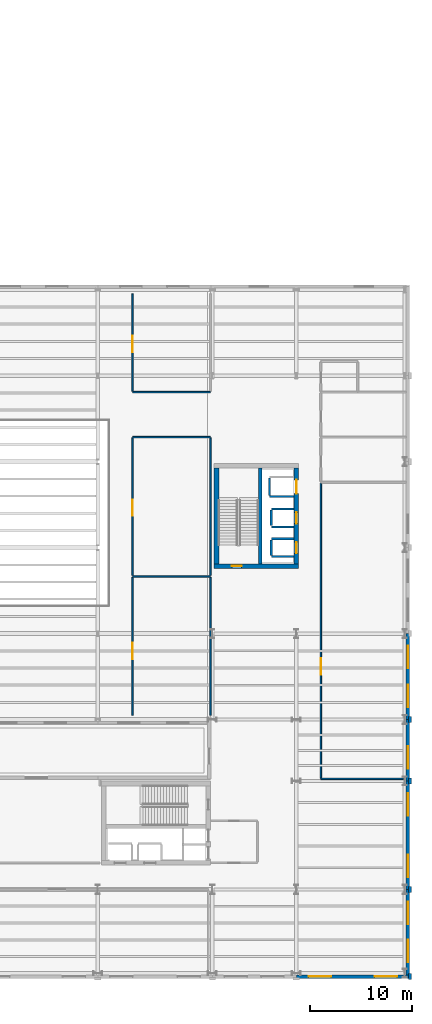
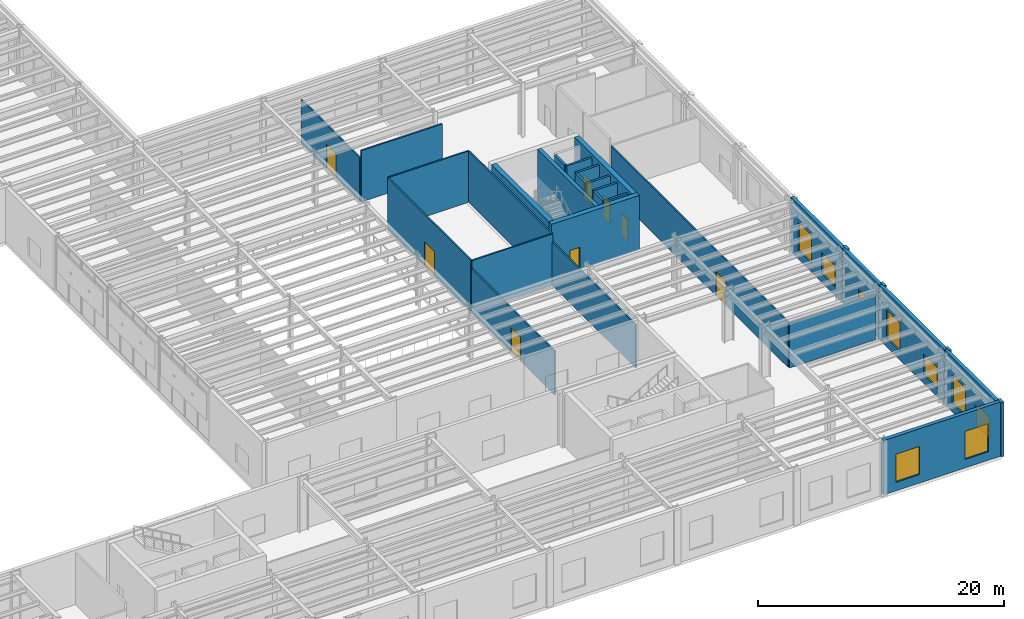
# One storey, part 82 of 98: 31 walls, 9 windows, 8 doors, 17 openings.
"""IFC4 building model written with IfcOpenShell, lengths in metres."""

from ifc_helpers import new_model, si_unit, direction, frame, frame_2d, origin, place, context, subcontext, project, spatial, rectangle, extrude, material, layer, layer_set, type_object, element, fill, save


model = new_model("IFC4")

# Units and contexts
model_context = context("Model", 3, precision=1e-05, world=origin(), true_north=direction((0.0, 1.0)))
body_context = subcontext(model_context, "Body", "Model", "MODEL_VIEW")
ifc_project = project(units=[si_unit("LENGTHUNIT", "METRE"), si_unit("AREAUNIT", "SQUARE_METRE"), si_unit("VOLUMEUNIT", "CUBIC_METRE"), si_unit("PLANEANGLEUNIT", "RADIAN"), si_unit("MASSUNIT", "GRAM", prefix="KILO")], contexts=[model_context])

# Site, building, storey
site_placement = place(None, origin())
site = spatial("IfcSite", under=ifc_project, at=site_placement, CompositionType="ELEMENT")
building_placement = place(site_placement, origin())
building = spatial("IfcBuilding", under=site, at=building_placement, Name="Sollismere Congress Hotel", CompositionType="ELEMENT")
storey_placement = place(building_placement, frame((0.0, 0.0, 5.39990234375)))
storey = spatial("IfcBuildingStorey", under=building, at=storey_placement, Name="L01", CompositionType="ELEMENT", Elevation=5.39990234375)

# Wall, openings, windows
ifc_material_1 = material(Name="Colorado Buff Sandstone and Limestone Backup C40/50", Category="masonry")
ifc_layer_1 = layer(ifc_material_1, 0.340087890625, Name="Colorado Buff Sandstone and Limestone Backup C40/50")
ifc_layer_set_1 = layer_set([ifc_layer_1], Name="Colorado Buff Sandstone and Limestone Backup C40/50")
wall_type_1 = type_object("IfcWallType", Name="WL-EXT340", PredefinedType="STANDARD", material=ifc_layer_set_1)
wall_1_placement = place(storey_placement, frame((155.39990234375, -0.31005859375, 0.0), z_axis=(0.0, 0.0, 1.0), x_axis=(1.0, 0.0, 0.0)))
wall_1 = element("IfcWall", 1, at=wall_1_placement, inside=storey, type_object=wall_type_1, Name="Exterior wall EW-L01-293", PredefinedType="STANDARD", context=body_context, shape_type="SweptSolid", body=[
    extrude(rectangle(XDim=11.050048828125, YDim=0.340087890625, at=frame_2d((5.52490234375, 0.0))), origin(), (0.0, 0.0, 1.0), 5.400146484375),
])
opening_1_placement = place(wall_1_placement, frame((1.199951171875, 0.0, 0.85009765625)))
opening_1 = element("IfcOpeningElement", 2, at=opening_1_placement, cuts=wall_1, Name="Opening W-L01-238", PredefinedType="OPENING", context=body_context, shape_type="SweptSolid", body=[
    extrude(rectangle(XDim=2.199951171875, YDim=2.800048828125, at=frame_2d((1.10009765625, 1.39990234375))), frame((0.0, 0.179931640625, 0.0), z_axis=(0.0, -1.0, 0.0), x_axis=(1.0, 0.0, 0.0)), (0.0, 0.0, 1.0), 0.360107421875),
])
opening_2_placement = place(wall_1_placement, frame((7.64990234375, 0.0, 0.85009765625)))
opening_2 = element("IfcOpeningElement", 3, at=opening_2_placement, cuts=wall_1, Name="Opening W-L01-239", PredefinedType="OPENING", context=body_context, shape_type="SweptSolid", body=[
    extrude(rectangle(XDim=2.199951171875, YDim=2.800048828125, at=frame_2d((1.10009765625, 1.39990234375))), frame((0.0, 0.179931640625, 0.0), z_axis=(0.0, -1.0, 0.0), x_axis=(1.0, 0.0, 0.0)), (0.0, 0.0, 1.0), 0.360107421875),
])
ifc_material_2 = material(Name="Thermally Broken Bronze Aluminum & Low-E Glass", Category="aluminium")
window_type_1 = type_object("IfcWindowType", Name="WN-A220x280", PartitioningType="SINGLE_PANEL", PredefinedType="WINDOW", material=ifc_material_2)
window_1_placement = place(opening_1_placement, origin())
window_1 = element("IfcWindow", 4, at=window_1_placement, inside=storey, type_object=window_type_1, Name="WIN-W-L01-238", OverallHeight=2.800048828125, OverallWidth=2.199951171875, PartitioningType="SINGLE_PANEL", PredefinedType="WINDOW", context=body_context, shape_type="SweptSolid", body=[
    extrude(rectangle(XDim=2.199951171875, YDim=2.800048828125, at=frame_2d((1.10009765625, 1.39990234375))), frame((0.0, 0.030029296875, 0.0), z_axis=(0.0, -1.0, 0.0), x_axis=(1.0, 0.0, 0.0)), (0.0, 0.0, 1.0), 0.06005859375),
])
fill(opening_1, window_1)
window_2_placement = place(opening_2_placement, origin())
window_2 = element("IfcWindow", 5, at=window_2_placement, inside=storey, type_object=window_type_1, Name="WIN-W-L01-239", OverallHeight=2.800048828125, OverallWidth=2.199951171875, PartitioningType="SINGLE_PANEL", PredefinedType="WINDOW", context=body_context, shape_type="SweptSolid", body=[
    extrude(rectangle(XDim=2.199951171875, YDim=2.800048828125, at=frame_2d((1.10009765625, 1.39990234375))), frame((0.0, 0.030029296875, 0.0), z_axis=(0.0, -1.0, 0.0), x_axis=(1.0, 0.0, 0.0)), (0.0, 0.0, 1.0), 0.06005859375),
])
fill(opening_2, window_2)

wall_2_placement = place(storey_placement, frame((166.31005859375, -0.137939453125, 0.0), z_axis=(0.0, 0.0, 1.0), x_axis=(0.0, 1.0, 0.0)))
wall_2 = element("IfcWall", 6, at=wall_2_placement, inside=storey, type_object=wall_type_1, Name="Exterior wall EW-L01-295", PredefinedType="STANDARD", context=body_context, shape_type="SweptSolid", body=[
    extrude(rectangle(XDim=8.337890625, YDim=0.340087890625, at=frame_2d((4.1689453125, 0.0))), origin(), (0.0, 0.0, 1.0), 5.400146484375),
])
opening_3_placement = place(wall_2_placement, frame((1.199951171875, 0.0, 0.85009765625)))
opening_3 = element("IfcOpeningElement", 7, at=opening_3_placement, cuts=wall_2, Name="Opening W-L01-240", PredefinedType="OPENING", context=body_context, shape_type="SweptSolid", body=[
    extrude(rectangle(XDim=2.199951171875, YDim=2.10009765625, at=frame_2d((1.10009765625, 1.050048828125))), frame((0.0, 0.179931640625, 0.0), z_axis=(0.0, -1.0, 0.0), x_axis=(1.0, 0.0, 0.0)), (0.0, 0.0, 1.0), 0.360107421875),
])
opening_4_placement = place(wall_2_placement, frame((4.93798828125, 0.0, 0.85009765625)))
opening_4 = element("IfcOpeningElement", 8, at=opening_4_placement, cuts=wall_2, Name="Opening W-L01-241", PredefinedType="OPENING", context=body_context, shape_type="SweptSolid", body=[
    extrude(rectangle(XDim=2.199951171875, YDim=2.800048828125, at=frame_2d((1.10009765625, 1.39990234375))), frame((0.0, 0.179931640625, 0.0), z_axis=(0.0, -1.0, 0.0), x_axis=(1.0, 0.0, 0.0)), (0.0, 0.0, 1.0), 0.360107421875),
])
window_3_placement = place(opening_4_placement, origin())
window_3 = element("IfcWindow", 9, at=window_3_placement, inside=storey, type_object=window_type_1, Name="WIN-W-L01-241", OverallHeight=2.800048828125, OverallWidth=2.199951171875, PartitioningType="SINGLE_PANEL", PredefinedType="WINDOW", context=body_context, shape_type="SweptSolid", body=[
    extrude(rectangle(XDim=2.199951171875, YDim=2.800048828125, at=frame_2d((1.10009765625, 1.39990234375))), frame((0.0, 0.030029296875, 0.0), z_axis=(0.0, -1.0, 0.0), x_axis=(1.0, 0.0, 0.0)), (0.0, 0.0, 1.0), 0.06005859375),
])
fill(opening_4, window_3)
window_type_2 = type_object("IfcWindowType", Name="WN-CK220", PartitioningType="SINGLE_PANEL", PredefinedType="WINDOW", material=ifc_material_2)
window_4_placement = place(opening_3_placement, origin())
window_4 = element("IfcWindow", 10, at=window_4_placement, inside=storey, type_object=window_type_2, Name="WIN-W-L01-240", OverallHeight=2.10009765625, OverallWidth=2.199951171875, PartitioningType="SINGLE_PANEL", PredefinedType="WINDOW", context=body_context, shape_type="SweptSolid", body=[
    extrude(rectangle(XDim=2.199951171875, YDim=2.10009765625, at=frame_2d((1.10009765625, 1.050048828125))), frame((0.0, 0.030029296875, 0.0), z_axis=(0.0, -1.0, 0.0), x_axis=(1.0, 0.0, 0.0)), (0.0, 0.0, 1.0), 0.06005859375),
])
fill(opening_3, window_4)

wall_3_placement = place(storey_placement, frame((166.31005859375, 8.199951171875, 0.0), z_axis=(0.0, 0.0, 1.0), x_axis=(0.0, 1.0, 0.0)))
wall_3 = element("IfcWall", 11, at=wall_3_placement, inside=storey, type_object=wall_type_1, Name="Exterior wall EW-L01-297", PredefinedType="STANDARD", context=body_context, shape_type="SweptSolid", body=[
    extrude(rectangle(XDim=10.60009765625, YDim=0.340087890625, at=frame_2d((5.300048828125, 0.0))), origin(), (0.0, 0.0, 1.0), 5.400146484375),
])
opening_5_placement = place(wall_3_placement, frame((1.199951171875, 0.0, 0.85009765625)))
opening_5 = element("IfcOpeningElement", 12, at=opening_5_placement, cuts=wall_3, Name="Opening W-L01-242", PredefinedType="OPENING", context=body_context, shape_type="SweptSolid", body=[
    extrude(rectangle(XDim=2.199951171875, YDim=2.10009765625, at=frame_2d((1.10009765625, 1.050048828125))), frame((0.0, 0.179931640625, 0.0), z_axis=(0.0, -1.0, 0.0), x_axis=(1.0, 0.0, 0.0)), (0.0, 0.0, 1.0), 0.360107421875),
])
opening_6_placement = place(wall_3_placement, frame((7.199951171875, 0.0, 0.85009765625)))
opening_6 = element("IfcOpeningElement", 13, at=opening_6_placement, cuts=wall_3, Name="Opening W-L01-243", PredefinedType="OPENING", context=body_context, shape_type="SweptSolid", body=[
    extrude(rectangle(XDim=2.199951171875, YDim=2.800048828125, at=frame_2d((1.10009765625, 1.39990234375))), frame((0.0, 0.179931640625, 0.0), z_axis=(0.0, -1.0, 0.0), x_axis=(1.0, 0.0, 0.0)), (0.0, 0.0, 1.0), 0.360107421875),
])
window_5_placement = place(opening_6_placement, origin())
window_5 = element("IfcWindow", 14, at=window_5_placement, inside=storey, type_object=window_type_1, Name="WIN-W-L01-243", OverallHeight=2.800048828125, OverallWidth=2.199951171875, PartitioningType="SINGLE_PANEL", PredefinedType="WINDOW", context=body_context, shape_type="SweptSolid", body=[
    extrude(rectangle(XDim=2.199951171875, YDim=2.800048828125, at=frame_2d((1.10009765625, 1.39990234375))), frame((0.0, 0.030029296875, 0.0), z_axis=(0.0, -1.0, 0.0), x_axis=(1.0, 0.0, 0.0)), (0.0, 0.0, 1.0), 0.06005859375),
])
fill(opening_6, window_5)
window_6_placement = place(opening_5_placement, origin())
window_6 = element("IfcWindow", 15, at=window_6_placement, inside=storey, type_object=window_type_2, Name="WIN-W-L01-242", OverallHeight=2.10009765625, OverallWidth=2.199951171875, PartitioningType="SINGLE_PANEL", PredefinedType="WINDOW", context=body_context, shape_type="SweptSolid", body=[
    extrude(rectangle(XDim=2.199951171875, YDim=2.10009765625, at=frame_2d((1.10009765625, 1.050048828125))), frame((0.0, 0.030029296875, 0.0), z_axis=(0.0, -1.0, 0.0), x_axis=(1.0, 0.0, 0.0)), (0.0, 0.0, 1.0), 0.06005859375),
])
fill(opening_5, window_6)

# Wall, opening, window
wall_4_placement = place(storey_placement, frame((166.31005859375, 18.800048828125, 0.0), z_axis=(0.0, 0.0, 1.0), x_axis=(0.0, 1.0, 0.0)))
wall_4 = element("IfcWall", 16, at=wall_4_placement, inside=storey, type_object=wall_type_1, Name="Exterior wall EW-L01-299", PredefinedType="STANDARD", context=body_context, shape_type="SweptSolid", body=[
    extrude(rectangle(XDim=6.0, YDim=0.340087890625, at=frame_2d((3.0, 0.0))), origin(), (0.0, 0.0, 1.0), 5.400146484375),
])
opening_7_placement = place(wall_4_placement, frame((1.199951171875, 0.0, 0.85009765625)))
opening_7 = element("IfcOpeningElement", 17, at=opening_7_placement, cuts=wall_4, Name="Opening W-L01-244", PredefinedType="OPENING", context=body_context, shape_type="SweptSolid", body=[
    extrude(rectangle(XDim=2.199951171875, YDim=2.10009765625, at=frame_2d((1.10009765625, 1.050048828125))), frame((0.0, 0.179931640625, 0.0), z_axis=(0.0, -1.0, 0.0), x_axis=(1.0, 0.0, 0.0)), (0.0, 0.0, 1.0), 0.360107421875),
])
window_7_placement = place(opening_7_placement, origin())
window_7 = element("IfcWindow", 18, at=window_7_placement, inside=storey, type_object=window_type_2, Name="WIN-W-L01-244", OverallHeight=2.10009765625, OverallWidth=2.199951171875, PartitioningType="SINGLE_PANEL", PredefinedType="WINDOW", context=body_context, shape_type="SweptSolid", body=[
    extrude(rectangle(XDim=2.199951171875, YDim=2.10009765625, at=frame_2d((1.10009765625, 1.050048828125))), frame((0.0, 0.030029296875, 0.0), z_axis=(0.0, -1.0, 0.0), x_axis=(1.0, 0.0, 0.0)), (0.0, 0.0, 1.0), 0.06005859375),
])
fill(opening_7, window_7)

# Wall, openings, windows
wall_5_placement = place(storey_placement, frame((166.31005859375, 24.800048828125, 0.0), z_axis=(0.0, 0.0, 1.0), x_axis=(0.0, 1.0, 0.0)))
wall_5 = element("IfcWall", 19, at=wall_5_placement, inside=storey, type_object=wall_type_1, Name="Exterior wall EW-L01-301", PredefinedType="STANDARD", context=body_context, shape_type="SweptSolid", body=[
    extrude(rectangle(XDim=8.39990234375, YDim=0.340087890625, at=frame_2d((4.199951171875, 0.0))), origin(), (0.0, 0.0, 1.0), 5.400146484375),
])
opening_8_placement = place(wall_5_placement, frame((1.199951171875, 0.0, 0.85009765625)))
opening_8 = element("IfcOpeningElement", 20, at=opening_8_placement, cuts=wall_5, Name="Opening W-L01-245", PredefinedType="OPENING", context=body_context, shape_type="SweptSolid", body=[
    extrude(rectangle(XDim=2.199951171875, YDim=2.10009765625, at=frame_2d((1.10009765625, 1.050048828125))), frame((0.0, 0.179931640625, 0.0), z_axis=(0.0, -1.0, 0.0), x_axis=(1.0, 0.0, 0.0)), (0.0, 0.0, 1.0), 0.360107421875),
])
opening_9_placement = place(wall_5_placement, frame((5.0, 0.0, 0.85009765625)))
opening_9 = element("IfcOpeningElement", 21, at=opening_9_placement, cuts=wall_5, Name="Opening W-L01-246", PredefinedType="OPENING", context=body_context, shape_type="SweptSolid", body=[
    extrude(rectangle(XDim=2.199951171875, YDim=2.800048828125, at=frame_2d((1.10009765625, 1.39990234375))), frame((0.0, 0.179931640625, 0.0), z_axis=(0.0, -1.0, 0.0), x_axis=(1.0, 0.0, 0.0)), (0.0, 0.0, 1.0), 0.360107421875),
])
window_8_placement = place(opening_9_placement, origin())
window_8 = element("IfcWindow", 22, at=window_8_placement, inside=storey, type_object=window_type_1, Name="WIN-W-L01-246", OverallHeight=2.800048828125, OverallWidth=2.199951171875, PartitioningType="SINGLE_PANEL", PredefinedType="WINDOW", context=body_context, shape_type="SweptSolid", body=[
    extrude(rectangle(XDim=2.199951171875, YDim=2.800048828125, at=frame_2d((1.10009765625, 1.39990234375))), frame((0.0, 0.030029296875, 0.0), z_axis=(0.0, -1.0, 0.0), x_axis=(1.0, 0.0, 0.0)), (0.0, 0.0, 1.0), 0.06005859375),
])
fill(opening_9, window_8)
window_9_placement = place(opening_8_placement, origin())
window_9 = element("IfcWindow", 23, at=window_9_placement, inside=storey, type_object=window_type_2, Name="WIN-W-L01-245", OverallHeight=2.10009765625, OverallWidth=2.199951171875, PartitioningType="SINGLE_PANEL", PredefinedType="WINDOW", context=body_context, shape_type="SweptSolid", body=[
    extrude(rectangle(XDim=2.199951171875, YDim=2.10009765625, at=frame_2d((1.10009765625, 1.050048828125))), frame((0.0, 0.030029296875, 0.0), z_axis=(0.0, -1.0, 0.0), x_axis=(1.0, 0.0, 0.0)), (0.0, 0.0, 1.0), 0.06005859375),
])
fill(opening_8, window_9)

# Walls
ifc_material_3 = material(Name="Carved Travertine Pilaster & Frieze Assembly", Category="masonry")
ifc_layer_2 = layer(ifc_material_3, 0.260009765625, Name="Carved Travertine Pilaster & Frieze Assembly")
ifc_layer_set_2 = layer_set([ifc_layer_2], Name="Carved Travertine Pilaster & Frieze Assembly")
wall_type_2 = type_object("IfcWallType", Name="WL-PIL280", PredefinedType="ELEMENTEDWALL", material=ifc_layer_set_2)
for number, where, z_axis, x_axis, name in (
    (24, (166.52001953125, -0.610107421875, 0.0), (0.0, 0.0, 1.0), (0.0, 1.0, 0.0), "Exterior wall EW-L01-296"),
    (25, (166.52001953125, 7.89990234375, 0.0), (0.0, 0.0, 1.0), (0.0, 1.0, 0.0), "Exterior wall EW-L01-298"),
    (26, (166.52001953125, 18.5, 0.0), (0.0, 0.0, 1.0), (0.0, 1.0, 0.0), "Exterior wall EW-L01-300"),
    (27, (166.52001953125, 24.5, 0.0), (0.0, 0.0, 1.0), (0.0, 1.0, 0.0), "Exterior wall EW-L01-302"),
):
    element("IfcWall", number, at=place(storey_placement, frame(where, z_axis=z_axis, x_axis=x_axis)), inside=storey, type_object=wall_type_2, Name=name, PredefinedType="ELEMENTEDWALL", context=body_context, shape_type="SweptSolid", body=[
        extrude(rectangle(XDim=0.60009765625, YDim=0.260009765625, at=frame_2d((0.300048828125, 0.0))), origin(), (0.0, 0.0, 1.0), 5.400146484375),
    ])
ifc_material_4 = material(Name="Moisture-Resistant Shaft Gypsum Assembly")
ifc_layer_3 = layer(ifc_material_4, 0.199951171875, Name="Moisture-Resistant Shaft Gypsum Assembly")
ifc_layer_set_3 = layer_set([ifc_layer_3], Name="Moisture-Resistant Shaft Gypsum Assembly")
wall_type_3 = type_object("IfcWallType", Name="WL-PLM200", PredefinedType="PLUMBINGWALL", material=ifc_layer_set_3)
for number, where, z_axis, x_axis, name in (
    (28, (152.955078125, 40.72998046875, 0.0), (0.0, 0.0, 1.0), (1.0, 0.0, 0.0), "Interior wall IW-L01-0411"),
    (29, (152.955078125, 42.469970703125, 0.0), (0.0, 0.0, 1.0), (1.0, 0.0, 0.0), "Interior wall IW-L01-0412"),
):
    element("IfcWall", number, at=place(storey_placement, frame(where, z_axis=z_axis, x_axis=x_axis)), inside=storey, type_object=wall_type_3, Name=name, PredefinedType="PLUMBINGWALL", context=body_context, shape_type="SweptSolid", body=[
        extrude(rectangle(XDim=2.2080078125, YDim=0.199951171875, at=frame_2d((1.10400390625, 0.0))), origin(), (0.0, 0.0, 1.0), 5.09521484375),
    ])
wall_6_placement = place(storey_placement, frame((152.955078125, 40.842041015625, 0.0), z_axis=(0.0, 0.0, 1.0), x_axis=(0.0, 1.0, 0.0)))
element("IfcWall", 30, at=wall_6_placement, inside=storey, type_object=wall_type_3, Name="Interior wall IW-L01-0413", PredefinedType="PLUMBINGWALL", context=body_context, shape_type="SweptSolid", body=[
    extrude(rectangle(XDim=1.515869140625, YDim=0.199951171875, at=frame_2d((0.7578125, 0.0))), origin(), (0.0, 0.0, 1.0), 5.09521484375),
])
for number, where, z_axis, x_axis, name in (
    (31, (152.955078125, 43.6298828125, 0.0), (0.0, 0.0, 1.0), (1.0, 0.0, 0.0), "Interior wall IW-L01-0414"),
    (32, (152.955078125, 45.3701171875, 0.0), (0.0, 0.0, 1.0), (1.0, 0.0, 0.0), "Interior wall IW-L01-0415"),
):
    element("IfcWall", number, at=place(storey_placement, frame(where, z_axis=z_axis, x_axis=x_axis)), inside=storey, type_object=wall_type_3, Name=name, PredefinedType="PLUMBINGWALL", context=body_context, shape_type="SweptSolid", body=[
        extrude(rectangle(XDim=2.2080078125, YDim=0.199951171875, at=frame_2d((1.10400390625, 0.0))), origin(), (0.0, 0.0, 1.0), 5.09521484375),
    ])
wall_7_placement = place(storey_placement, frame((152.955078125, 43.741943359375, 0.0), z_axis=(0.0, 0.0, 1.0), x_axis=(0.0, 1.0, 0.0)))
element("IfcWall", 33, at=wall_7_placement, inside=storey, type_object=wall_type_3, Name="Interior wall IW-L01-0416", PredefinedType="PLUMBINGWALL", context=body_context, shape_type="SweptSolid", body=[
    extrude(rectangle(XDim=1.51611328125, YDim=0.199951171875, at=frame_2d((0.758056640625, 0.0))), origin(), (0.0, 0.0, 1.0), 5.09521484375),
])
wall_8_placement = place(storey_placement, frame((152.800048828125, 46.60498046875, 0.0), z_axis=(0.0, 0.0, 1.0), x_axis=(1.0, 0.0, 0.0)))
element("IfcWall", 34, at=wall_8_placement, inside=storey, type_object=wall_type_3, Name="Interior wall IW-L01-0417", PredefinedType="PLUMBINGWALL", context=body_context, shape_type="SweptSolid", body=[
    extrude(rectangle(XDim=2.363037109375, YDim=0.199951171875, at=frame_2d((1.181640625, 0.0))), origin(), (0.0, 0.0, 1.0), 5.09521484375),
])
wall_9_placement = place(storey_placement, frame((152.800048828125, 46.717041015625, 0.0), z_axis=(0.0, 0.0, 1.0), x_axis=(0.0, 1.0, 0.0)))
element("IfcWall", 35, at=wall_9_placement, inside=storey, type_object=wall_type_3, Name="Interior wall IW-L01-0419", PredefinedType="PLUMBINGWALL", context=body_context, shape_type="SweptSolid", body=[
    extrude(rectangle(XDim=1.666015625, YDim=0.199951171875, at=frame_2d((0.8330078125, 0.0))), origin(), (0.0, 0.0, 1.0), 5.09521484375),
])
ifc_material_5 = material(Name="Fire-Rated Gypsum Partition")
ifc_layer_4 = layer(ifc_material_5, 0.139892578125, Name="Fire-Rated Gypsum Partition")
ifc_layer_set_4 = layer_set([ifc_layer_4], Name="Fire-Rated Gypsum Partition")
wall_type_4 = type_object("IfcWallType", Name="WL-PRT140R", PredefinedType="PARTITIONING", material=ifc_layer_set_4)
wall_10_placement = place(storey_placement, frame((157.800048828125, 19.0, 0.0), z_axis=(0.0, 0.0, 1.0), x_axis=(1.0, 0.0, 0.0)))
element("IfcWall", 36, at=wall_10_placement, inside=storey, type_object=wall_type_4, Name="Interior wall IW-L01-0851", PredefinedType="PARTITIONING", context=body_context, shape_type="SweptSolid", body=[
    extrude(rectangle(XDim=8.06005859375, YDim=0.139892578125, at=frame_2d((4.030029296875, 0.0))), origin(), (0.0, 0.0, 1.0), 4.508056640625),
])
for number, where, z_axis, x_axis, name in (
    (37, (139.39990234375, 38.800048828125, 0.0), (0.0, 0.0, 1.0), (1.0, 0.0, 0.0), "Interior wall IW-L01-0855"),
    (38, (139.39990234375, 52.39990234375, 0.0), (0.0, 0.0, 1.0), (1.0, 0.0, 0.0), "Interior wall IW-L01-0858"),
    (39, (139.39990234375, 56.800048828125, 0.0), (0.0, 0.0, 1.0), (1.0, 0.0, 0.0), "Interior wall IW-L01-0860"),
):
    element("IfcWall", number, at=place(storey_placement, frame(where, z_axis=z_axis, x_axis=x_axis)), inside=storey, type_object=wall_type_4, Name=name, PredefinedType="PARTITIONING", context=body_context, shape_type="SweptSolid", body=[
        extrude(rectangle(XDim=7.60009765625, YDim=0.139892578125, at=frame_2d((3.800048828125, 0.0))), origin(), (0.0, 0.0, 1.0), 5.09521484375),
    ])

# Wall, opening, door
wall_11_placement = place(storey_placement, frame((139.39990234375, 25.199951171875, 0.0), z_axis=(0.0, 0.0, 1.0), x_axis=(0.0, 1.0, 0.0)))
wall_11 = element("IfcWall", 40, at=wall_11_placement, inside=storey, type_object=wall_type_4, Name="Interior wall IW-L01-0925", PredefinedType="PARTITIONING", context=body_context, shape_type="SweptSolid", body=[
    extrude(rectangle(XDim=13.51806640625, YDim=0.139892578125, at=frame_2d((6.759033203125, 0.0))), origin(), (0.0, 0.0, 1.0), 4.3330078125),
])
opening_10_placement = place(wall_11_placement, frame((5.5, 0.0, 0.0)))
opening_10 = element("IfcOpeningElement", 41, at=opening_10_placement, cuts=wall_11, Name="Opening D-L01-0321", PredefinedType="OPENING", context=body_context, shape_type="SweptSolid", body=[
    extrude(rectangle(XDim=1.60009765625, YDim=2.39990234375, at=frame_2d((0.800048828125, 1.199951171875))), frame((0.0, 0.079833984375, 0.0), z_axis=(0.0, -1.0, 0.0), x_axis=(1.0, 0.0, 0.0)), (0.0, 0.0, 1.0), 0.159912109375),
])
ifc_material_6 = material(Name="Acoustic Oak Double Meeting Door")
door_type_1 = type_object("IfcDoorType", Name="DR-MT160", OperationType="NOTDEFINED", PredefinedType="DOOR", material=ifc_material_6)
door_1_placement = place(opening_10_placement, origin())
door_1 = element("IfcDoor", 42, at=door_1_placement, inside=storey, type_object=door_type_1, Name="Interior door D-L01-0321", OperationType="DOUBLE_DOOR_SINGLE_SWING", OverallHeight=2.39990234375, OverallWidth=1.60009765625, PredefinedType="DOOR", context=body_context, shape_type="SweptSolid", body=[
    extrude(rectangle(XDim=1.60009765625, YDim=2.39990234375, at=frame_2d((0.800048828125, 1.199951171875))), frame((0.0, 0.02490234375, 0.0), z_axis=(0.0, -1.0, 0.0), x_axis=(1.0, 0.0, 0.0)), (0.0, 0.0, 1.0), 0.050048828125),
])
fill(opening_10, door_1)

wall_12_placement = place(storey_placement, frame((139.39990234375, 38.882080078125, 0.0), z_axis=(0.0, 0.0, 1.0), x_axis=(0.0, 1.0, 0.0)))
wall_12 = element("IfcWall", 43, at=wall_12_placement, inside=storey, type_object=wall_type_4, Name="Interior wall IW-L01-0926", PredefinedType="PARTITIONING", context=body_context, shape_type="SweptSolid", body=[
    extrude(rectangle(XDim=13.43603515625, YDim=0.139892578125, at=frame_2d((6.718017578125, 0.0))), origin(), (0.0, 0.0, 1.0), 5.09521484375),
])
opening_11_placement = place(wall_12_placement, frame((5.818115234375, 0.0, 0.0)))
opening_11 = element("IfcOpeningElement", 44, at=opening_11_placement, cuts=wall_12, Name="Opening D-L01-0322", PredefinedType="OPENING", context=body_context, shape_type="SweptSolid", body=[
    extrude(rectangle(XDim=1.60009765625, YDim=2.39990234375, at=frame_2d((0.800048828125, 1.199951171875))), frame((0.0, 0.079833984375, 0.0), z_axis=(0.0, -1.0, 0.0), x_axis=(1.0, 0.0, 0.0)), (0.0, 0.0, 1.0), 0.159912109375),
])
door_2_placement = place(opening_11_placement, origin())
door_2 = element("IfcDoor", 45, at=door_2_placement, inside=storey, type_object=door_type_1, Name="Interior door D-L01-0322", OperationType="DOUBLE_DOOR_SINGLE_SWING", OverallHeight=2.39990234375, OverallWidth=1.60009765625, PredefinedType="DOOR", context=body_context, shape_type="SweptSolid", body=[
    extrude(rectangle(XDim=1.60009765625, YDim=2.39990234375, at=frame_2d((0.800048828125, 1.199951171875))), frame((0.0, 0.02490234375, 0.0), z_axis=(0.0, -1.0, 0.0), x_axis=(1.0, 0.0, 0.0)), (0.0, 0.0, 1.0), 0.050048828125),
])
fill(opening_11, door_2)

wall_13_placement = place(storey_placement, frame((139.39990234375, 56.882080078125, 0.0), z_axis=(0.0, 0.0, 1.0), x_axis=(0.0, 1.0, 0.0)))
wall_13 = element("IfcWall", 46, at=wall_13_placement, inside=storey, type_object=wall_type_4, Name="Interior wall IW-L01-0927", PredefinedType="PARTITIONING", context=body_context, shape_type="SweptSolid", body=[
    extrude(rectangle(XDim=9.517822265625, YDim=0.139892578125, at=frame_2d((4.7587890625, 0.0))), origin(), (0.0, 0.0, 1.0), 4.3330078125),
])
opening_12_placement = place(wall_13_placement, frame((3.818115234375, 0.0, 0.0)))
opening_12 = element("IfcOpeningElement", 47, at=opening_12_placement, cuts=wall_13, Name="Opening D-L01-0323", PredefinedType="OPENING", context=body_context, shape_type="SweptSolid", body=[
    extrude(rectangle(XDim=1.60009765625, YDim=2.39990234375, at=frame_2d((0.800048828125, 1.199951171875))), frame((0.0, 0.079833984375, 0.0), z_axis=(0.0, -1.0, 0.0), x_axis=(1.0, 0.0, 0.0)), (0.0, 0.0, 1.0), 0.159912109375),
])
door_3_placement = place(opening_12_placement, origin())
door_3 = element("IfcDoor", 48, at=door_3_placement, inside=storey, type_object=door_type_1, Name="Interior door D-L01-0323", OperationType="DOUBLE_DOOR_SINGLE_SWING", OverallHeight=2.39990234375, OverallWidth=1.60009765625, PredefinedType="DOOR", context=body_context, shape_type="SweptSolid", body=[
    extrude(rectangle(XDim=1.60009765625, YDim=2.39990234375, at=frame_2d((0.800048828125, 1.199951171875))), frame((0.0, 0.02490234375, 0.0), z_axis=(0.0, -1.0, 0.0), x_axis=(1.0, 0.0, 0.0)), (0.0, 0.0, 1.0), 0.050048828125),
])
fill(opening_12, door_3)

# Walls
wall_14_placement = place(storey_placement, frame((147.0, 25.199951171875, 0.0), z_axis=(0.0, 0.0, 1.0), x_axis=(0.0, 1.0, 0.0)))
element("IfcWall", 49, at=wall_14_placement, inside=storey, type_object=wall_type_4, Name="Interior wall IW-L01-0929", PredefinedType="PARTITIONING", context=body_context, shape_type="SweptSolid", body=[
    extrude(rectangle(XDim=13.51806640625, YDim=0.139892578125, at=frame_2d((6.759033203125, 0.0))), origin(), (0.0, 0.0, 1.0), 4.3330078125),
])
wall_15_placement = place(storey_placement, frame((147.0, 38.882080078125, 0.0), z_axis=(0.0, 0.0, 1.0), x_axis=(0.0, 1.0, 0.0)))
element("IfcWall", 50, at=wall_15_placement, inside=storey, type_object=wall_type_4, Name="Interior wall IW-L01-0930", PredefinedType="PARTITIONING", context=body_context, shape_type="SweptSolid", body=[
    extrude(rectangle(XDim=13.43603515625, YDim=0.139892578125, at=frame_2d((6.718017578125, 0.0))), origin(), (0.0, 0.0, 1.0), 5.09521484375),
])

# Wall, opening, door
wall_16_placement = place(storey_placement, frame((157.800048828125, 19.08203125, 0.0), z_axis=(0.0, 0.0, 1.0), x_axis=(0.0, 1.0, 0.0)))
wall_16 = element("IfcWall", 51, at=wall_16_placement, inside=storey, type_object=wall_type_4, Name="Interior wall IW-L01-0932", PredefinedType="PARTITIONING", context=body_context, shape_type="SweptSolid", body=[
    extrude(rectangle(XDim=28.823486328125, YDim=0.139892578125, at=frame_2d((14.41162109375, 0.0))), origin(), (0.0, 0.0, 1.0), 4.508056640625),
])
opening_13_placement = place(wall_16_placement, frame((10.117919921875, 0.0, 0.0)))
opening_13 = element("IfcOpeningElement", 52, at=opening_13_placement, cuts=wall_16, Name="Opening D-L01-0324", PredefinedType="OPENING", context=body_context, shape_type="SweptSolid", body=[
    extrude(rectangle(XDim=1.60009765625, YDim=2.39990234375, at=frame_2d((0.800048828125, 1.199951171875))), frame((0.0, 0.079833984375, 0.0), z_axis=(0.0, -1.0, 0.0), x_axis=(1.0, 0.0, 0.0)), (0.0, 0.0, 1.0), 0.159912109375),
])
door_4_placement = place(opening_13_placement, origin())
door_4 = element("IfcDoor", 53, at=door_4_placement, inside=storey, type_object=door_type_1, Name="Interior door D-L01-0324", OperationType="DOUBLE_DOOR_SINGLE_SWING", OverallHeight=2.39990234375, OverallWidth=1.60009765625, PredefinedType="DOOR", context=body_context, shape_type="SweptSolid", body=[
    extrude(rectangle(XDim=1.60009765625, YDim=2.39990234375, at=frame_2d((0.800048828125, 1.199951171875))), frame((0.0, 0.02490234375, 0.0), z_axis=(0.0, -1.0, 0.0), x_axis=(1.0, 0.0, 0.0)), (0.0, 0.0, 1.0), 0.050048828125),
])
fill(opening_13, door_4)

# Wall
ifc_material_7 = material(Name="Concrete C50/60", Category="concrete")
ifc_layer_5 = layer(ifc_material_7, 0.35009765625, Name="Concrete C50/60")
ifc_layer_set_5 = layer_set([ifc_layer_5], Name="Concrete C50/60")
wall_type_5 = type_object("IfcWallType", Name="WL-SHR350", PredefinedType="SHEAR", material=ifc_layer_set_5)
wall_17_placement = place(storey_placement, frame((151.875, 40.02490234375, 0.0), z_axis=(0.0, 0.0, 1.0), x_axis=(0.0, 1.0, 0.0)))
element("IfcWall", 54, at=wall_17_placement, inside=storey, type_object=wall_type_5, Name="Interior wall IW-L01-0410", PredefinedType="SHEAR", context=body_context, shape_type="SweptSolid", body=[
    extrude(rectangle(XDim=9.35009765625, YDim=0.35009765625, at=frame_2d((4.675048828125, 0.0))), origin(), (0.0, 0.0, 1.0), 5.400146484375),
])

# Wall, opening, door
ifc_layer_6 = layer(ifc_material_7, 0.449951171875, Name="Concrete C50/60")
ifc_layer_set_6 = layer_set([ifc_layer_6], Name="Concrete C50/60")
wall_type_6 = type_object("IfcWallType", Name="WL-SHR450", PredefinedType="SHEAR", material=ifc_layer_set_6)
wall_18_placement = place(storey_placement, frame((147.375, 39.800048828125, 0.0), z_axis=(0.0, 0.0, 1.0), x_axis=(1.0, 0.0, 0.0)))
wall_18 = element("IfcWall", 55, at=wall_18_placement, inside=storey, type_object=wall_type_6, Name="Interior wall IW-L01-0406", PredefinedType="SHEAR", context=body_context, shape_type="SweptSolid", body=[
    extrude(rectangle(XDim=8.25, YDim=0.449951171875, at=frame_2d((4.125, 0.0))), origin(), (0.0, 0.0, 1.0), 5.400146484375),
])
opening_14_placement = place(wall_18_placement, frame((1.72509765625, 0.0, 0.0)))
opening_14 = element("IfcOpeningElement", 56, at=opening_14_placement, cuts=wall_18, Name="Opening D-ST-03-L01", PredefinedType="OPENING", context=body_context, shape_type="SweptSolid", body=[
    extrude(rectangle(XDim=0.949951171875, YDim=2.199951171875, at=frame_2d((0.47509765625, 1.10009765625))), frame((0.0, 0.23486328125, 0.0), z_axis=(0.0, -1.0, 0.0), x_axis=(1.0, 0.0, 0.0)), (0.0, 0.0, 1.0), 0.469970703125),
])
ifc_material_8 = material(Name="Fire-Rated Insulated Steel Door", Category="steel")
door_type_2 = type_object("IfcDoorType", Name="DR-FD90", OperationType="NOTDEFINED", PredefinedType="DOOR", material=ifc_material_8)
door_5_placement = place(opening_14_placement, origin())
door_5 = element("IfcDoor", 57, at=door_5_placement, inside=storey, type_object=door_type_2, Name="Exit stair fire door D-ST-03-L01", OperationType="SINGLE_SWING_LEFT", OverallHeight=2.199951171875, OverallWidth=0.949951171875, PredefinedType="DOOR", context=body_context, shape_type="SweptSolid", body=[
    extrude(rectangle(XDim=0.949951171875, YDim=2.199951171875, at=frame_2d((0.47509765625, 1.10009765625))), frame((0.0, 0.02490234375, 0.0), z_axis=(0.0, -1.0, 0.0), x_axis=(1.0, 0.0, 0.0)), (0.0, 0.0, 1.0), 0.050048828125),
])
fill(opening_14, door_5)

# Wall
wall_19_placement = place(storey_placement, frame((147.60009765625, 49.375, 0.0), z_axis=(0.0, 0.0, 1.0), x_axis=(0.0, -1.0, 0.0)))
element("IfcWall", 58, at=wall_19_placement, inside=storey, type_object=wall_type_6, Name="Interior wall IW-L01-0408", PredefinedType="SHEAR", context=body_context, shape_type="SweptSolid", body=[
    extrude(rectangle(XDim=9.35009765625, YDim=0.449951171875, at=frame_2d((4.675048828125, 0.0))), origin(), (0.0, 0.0, 1.0), 5.400146484375),
])

# Wall, openings, doors
wall_20_placement = place(storey_placement, frame((155.39990234375, 40.02490234375, 0.0), z_axis=(0.0, 0.0, 1.0), x_axis=(0.0, 1.0, 0.0)))
wall_20 = element("IfcWall", 59, at=wall_20_placement, inside=storey, type_object=wall_type_6, Name="Interior wall IW-L01-0409", PredefinedType="SHEAR", context=body_context, shape_type="SweptSolid", body=[
    extrude(rectangle(XDim=9.35009765625, YDim=0.449951171875, at=frame_2d((4.675048828125, 0.0))), origin(), (0.0, 0.0, 1.0), 5.400146484375),
])
opening_15_placement = place(wall_20_placement, frame((1.02490234375, 0.0, 0.0)))
opening_15 = element("IfcOpeningElement", 60, at=opening_15_placement, cuts=wall_20, Name="Opening LD-LP-05-L01", PredefinedType="OPENING", context=body_context, shape_type="SweptSolid", body=[
    extrude(rectangle(XDim=1.10009765625, YDim=2.199951171875, at=frame_2d((0.550048828125, 1.10009765625))), frame((0.0, 0.23486328125, 0.0), z_axis=(0.0, -1.0, 0.0), x_axis=(1.0, 0.0, 0.0)), (0.0, 0.0, 1.0), 0.469970703125),
])
opening_16_placement = place(wall_20_placement, frame((3.925048828125, 0.0, 0.0)))
opening_16 = element("IfcOpeningElement", 61, at=opening_16_placement, cuts=wall_20, Name="Opening LD-LP-06-L01", PredefinedType="OPENING", context=body_context, shape_type="SweptSolid", body=[
    extrude(rectangle(XDim=1.10009765625, YDim=2.199951171875, at=frame_2d((0.550048828125, 1.10009765625))), frame((0.0, 0.23486328125, 0.0), z_axis=(0.0, -1.0, 0.0), x_axis=(1.0, 0.0, 0.0)), (0.0, 0.0, 1.0), 0.469970703125),
])
opening_17_placement = place(wall_20_placement, frame((6.85009765625, 0.0, 0.0)))
opening_17 = element("IfcOpeningElement", 62, at=opening_17_placement, cuts=wall_20, Name="Opening LD-LS-02-L01", PredefinedType="OPENING", context=body_context, shape_type="SweptSolid", body=[
    extrude(rectangle(XDim=1.35009765625, YDim=2.300048828125, at=frame_2d((0.675048828125, 1.14990234375))), frame((0.0, 0.23486328125, 0.0), z_axis=(0.0, -1.0, 0.0), x_axis=(1.0, 0.0, 0.0)), (0.0, 0.0, 1.0), 0.469970703125),
])
ifc_material_9 = material(Name="Brushed Bronze Sliding Elevator Landing Door")
door_type_3 = type_object("IfcDoorType", Name="DR-LD110", OperationType="NOTDEFINED", PredefinedType="DOOR", material=ifc_material_9)
door_6_placement = place(opening_15_placement, origin())
door_6 = element("IfcDoor", 63, at=door_6_placement, inside=storey, type_object=door_type_3, Name="Elevator landing door LD-LP-05-L01", OperationType="SLIDING_TO_LEFT", OverallHeight=2.199951171875, OverallWidth=1.10009765625, PredefinedType="DOOR", context=body_context, shape_type="SweptSolid", body=[
    extrude(rectangle(XDim=1.10009765625, YDim=2.199951171875, at=frame_2d((0.550048828125, 1.10009765625))), frame((0.0, 0.02490234375, 0.0), z_axis=(0.0, -1.0, 0.0), x_axis=(1.0, 0.0, 0.0)), (0.0, 0.0, 1.0), 0.050048828125),
])
fill(opening_15, door_6)
door_7_placement = place(opening_16_placement, origin())
door_7 = element("IfcDoor", 64, at=door_7_placement, inside=storey, type_object=door_type_3, Name="Elevator landing door LD-LP-06-L01", OperationType="SLIDING_TO_RIGHT", OverallHeight=2.199951171875, OverallWidth=1.10009765625, PredefinedType="DOOR", context=body_context, shape_type="SweptSolid", body=[
    extrude(rectangle(XDim=1.10009765625, YDim=2.199951171875, at=frame_2d((0.550048828125, 1.10009765625))), frame((0.0, 0.02490234375, 0.0), z_axis=(0.0, -1.0, 0.0), x_axis=(1.0, 0.0, 0.0)), (0.0, 0.0, 1.0), 0.050048828125),
])
fill(opening_16, door_7)
ifc_material_10 = material(Name="Heavy-Duty Stainless Sliding Service Landing Door")
door_type_4 = type_object("IfcDoorType", Name="DR-LD135", OperationType="NOTDEFINED", PredefinedType="DOOR", material=ifc_material_10)
door_8_placement = place(opening_17_placement, origin())
door_8 = element("IfcDoor", 65, at=door_8_placement, inside=storey, type_object=door_type_4, Name="Elevator landing door LD-LS-02-L01", OperationType="SLIDING_TO_LEFT", OverallHeight=2.300048828125, OverallWidth=1.35009765625, PredefinedType="DOOR", context=body_context, shape_type="SweptSolid", body=[
    extrude(rectangle(XDim=1.35009765625, YDim=2.300048828125, at=frame_2d((0.675048828125, 1.14990234375))), frame((0.0, 0.02490234375, 0.0), z_axis=(0.0, -1.0, 0.0), x_axis=(1.0, 0.0, 0.0)), (0.0, 0.0, 1.0), 0.050048828125),
])
fill(opening_17, door_8)

save(model, "model.ifc")
